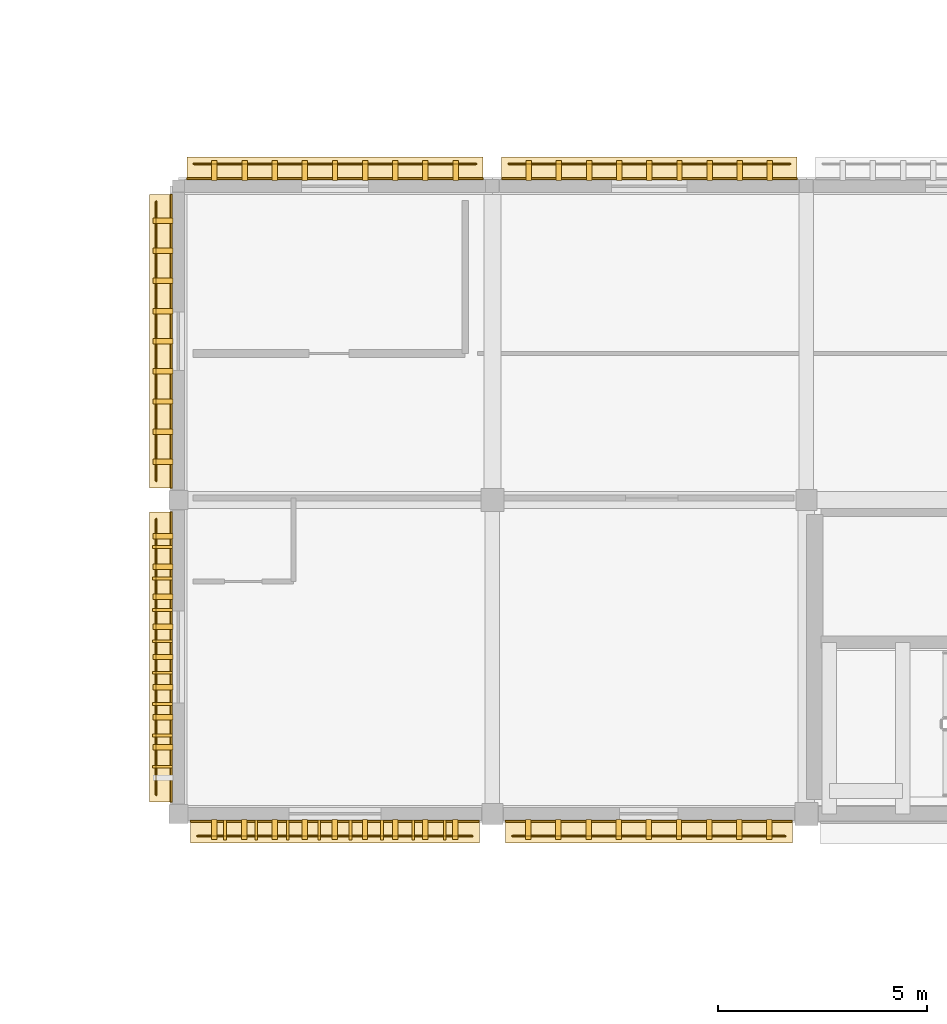
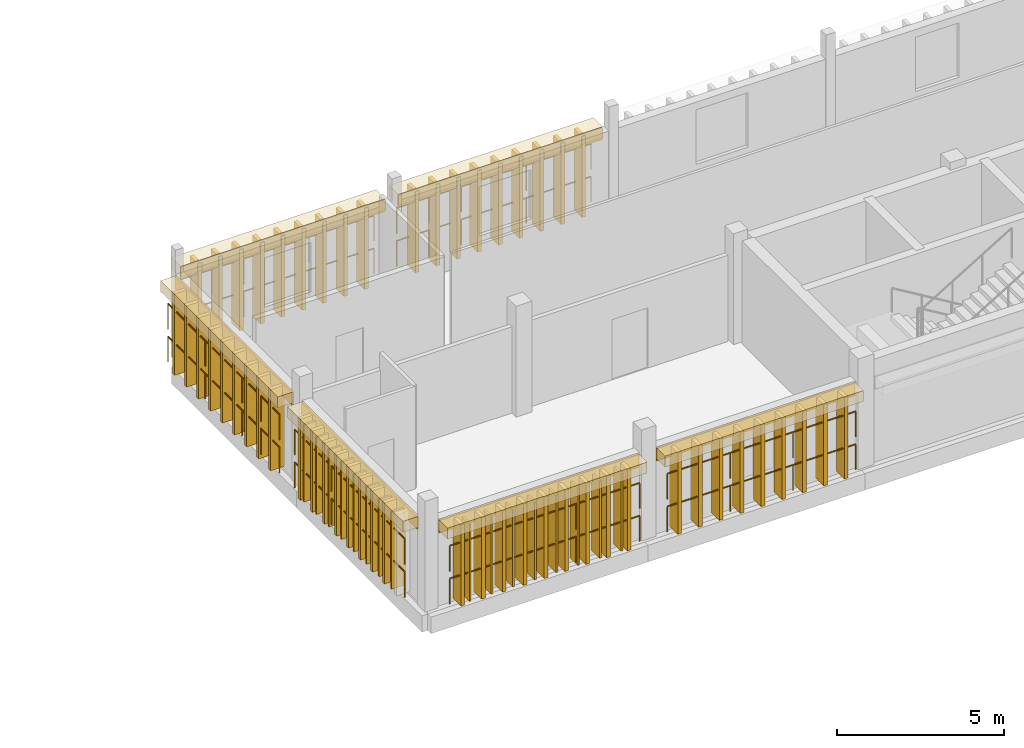
# One storey, part 37 of 48: 65 coverings, 16 shading devices, 12 railings.
"""IFC4 building model written with IfcOpenShell, lengths in metres."""

from ifc_helpers import new_model, si_unit, direction, frame, origin, origin_2d, place, context, subcontext, project, spatial, rectangle, circle, extrude, material, layer, layer_set, type_object, element, save


model = new_model("IFC4")

# Units and contexts
model_context = context("Model", 3, precision=1e-05, world=origin(), true_north=direction((0.0, 1.0)))
body_context = subcontext(model_context, "Body", "Model", "MODEL_VIEW")
ifc_project = project(units=[si_unit("LENGTHUNIT", "METRE"), si_unit("AREAUNIT", "SQUARE_METRE"), si_unit("VOLUMEUNIT", "CUBIC_METRE"), si_unit("PLANEANGLEUNIT", "RADIAN"), si_unit("MASSUNIT", "GRAM", prefix="KILO")], contexts=[model_context])

# Site, building, storey
site_placement = place(None, origin())
site = spatial("IfcSite", under=ifc_project, at=site_placement, CompositionType="ELEMENT")
building_placement = place(site_placement, origin())
building = spatial("IfcBuilding", under=site, at=building_placement, Name="Dalvernix Boulevard General Hospital", CompositionType="ELEMENT")
storey_placement = place(building_placement, frame((0.0, 0.0, 17.85009765625)))
storey = spatial("IfcBuildingStorey", under=building, at=storey_placement, Name="L04", CompositionType="ELEMENT", Elevation=17.85009765625)

# Coverings
ifc_material_1 = material(Name="Polychrome Catalan glazed ceramic spandrel tile panel")
ifc_layer_1 = layer(ifc_material_1, 0.044921875)
ifc_layer_set_1 = layer_set([ifc_layer_1], Name="Polychrome Catalan glazed ceramic spandrel tile panel (COV-CLD-01)")
covering_type_1 = type_object("IfcCoveringType", Name="COV-CLD-01", PredefinedType="CLADDING", material=ifc_layer_set_1)
covering_1_placement = place(storey_placement, frame((116.237548828125, 7.330078125, 2.69482421875), z_axis=(0.0, 0.0, 1.0), x_axis=(-1.0, 0.0, 0.0)))
element("IfcCovering", 1, at=covering_1_placement, inside=storey, type_object=covering_type_1, Name="L04 polychrome ceramic spandrel S 15-1", PredefinedType="CLADDING", context=body_context, shape_type="SweptSolid", body=[
    extrude(rectangle(XDim=6.905029296875, YDim=0.044921875, at=origin_2d()), origin(), (0.0, 0.0, 1.0), 0.449951171875),
])
covering_2_placement = place(storey_placement, frame((112.330078125, 11.25, 2.69482421875), z_axis=(0.0, 0.0, 1.0), x_axis=(0.0, 1.0, 0.0)))
element("IfcCovering", 2, at=covering_2_placement, inside=storey, type_object=covering_type_1, Name="L04 polychrome ceramic spandrel W 15-1", PredefinedType="CLADDING", context=body_context, shape_type="SweptSolid", body=[
    extrude(rectangle(XDim=6.929931640625, YDim=0.044921875, at=origin_2d()), origin(), (0.0, 0.0, 1.0), 0.449951171875),
])
covering_3_placement = place(storey_placement, frame((116.239990234375, 22.669921875, 2.69482421875), z_axis=(0.0, 0.0, 1.0), x_axis=(1.0, 0.0, 0.0)))
element("IfcCovering", 3, at=covering_3_placement, inside=storey, type_object=covering_type_1, Name="L04 polychrome ceramic spandrel N 15-3", PredefinedType="CLADDING", context=body_context, shape_type="SweptSolid", body=[
    extrude(rectangle(XDim=7.080078125, YDim=0.044921875, at=origin_2d()), origin(), (0.0, 0.0, 1.0), 0.449951171875),
])
covering_4_placement = place(storey_placement, frame((112.330078125, 18.79248046875, 2.69482421875), z_axis=(0.0, 0.0, 1.0), x_axis=(0.0, 1.0, 0.0)))
element("IfcCovering", 4, at=covering_4_placement, inside=storey, type_object=covering_type_1, Name="L04 polychrome ceramic spandrel W 15-2", PredefinedType="CLADDING", context=body_context, shape_type="SweptSolid", body=[
    extrude(rectangle(XDim=7.014892578125, YDim=0.044921875, at=origin_2d()), origin(), (0.0, 0.0, 1.0), 0.449951171875),
])
covering_5_placement = place(storey_placement, frame((123.737548828125, 7.330078125, 2.69482421875), z_axis=(0.0, 0.0, 1.0), x_axis=(-1.0, 0.0, 0.0)))
element("IfcCovering", 5, at=covering_5_placement, inside=storey, type_object=covering_type_1, Name="L04 polychrome ceramic spandrel S 16-1", PredefinedType="CLADDING", context=body_context, shape_type="SweptSolid", body=[
    extrude(rectangle(XDim=6.85498046875, YDim=0.044921875, at=origin_2d()), origin(), (0.0, 0.0, 1.0), 0.449951171875),
])
covering_6_placement = place(storey_placement, frame((123.75, 22.669921875, 2.69482421875), z_axis=(0.0, 0.0, 1.0), x_axis=(1.0, 0.0, 0.0)))
element("IfcCovering", 6, at=covering_6_placement, inside=storey, type_object=covering_type_1, Name="L04 polychrome ceramic spandrel N 16-3", PredefinedType="CLADDING", context=body_context, shape_type="SweptSolid", body=[
    extrude(rectangle(XDim=7.06005859375, YDim=0.044921875, at=origin_2d()), origin(), (0.0, 0.0, 1.0), 0.449951171875),
])
ifc_material_2 = material(Name="Dressed ochre limestone classical plinth, stringcourse and corbelled cornice", Category="masonry")
ifc_layer_2 = layer(ifc_material_2, 0.449951171875)
ifc_layer_set_2 = layer_set([ifc_layer_2], Name="Dressed ochre limestone classical plinth, stringcourse and corbelled cornice (COV-CRN-01)")
covering_type_2 = type_object("IfcCoveringType", Name="COV-CRN-01", PredefinedType="CLADDING", material=ifc_layer_set_2)
covering_7_placement = place(storey_placement, frame((116.237548828125, 7.090087890625, 2.77001953125), z_axis=(0.0, 0.0, 1.0), x_axis=(-1.0, 0.0, 0.0)))
element("IfcCovering", 7, at=covering_7_placement, inside=storey, type_object=covering_type_2, Name="L04 classical corbelled cornice frieze S 15-1", PredefinedType="CLADDING", context=body_context, shape_type="SweptSolid", body=[
    extrude(rectangle(XDim=6.905029296875, YDim=0.56005859375, at=origin_2d()), origin(), (0.0, 0.0, 1.0), 0.39990234375),
])
covering_8_placement = place(storey_placement, frame((112.090087890625, 11.25, 2.77001953125), z_axis=(0.0, 0.0, 1.0), x_axis=(0.0, 1.0, 0.0)))
element("IfcCovering", 8, at=covering_8_placement, inside=storey, type_object=covering_type_2, Name="L04 classical corbelled cornice frieze W 15-1", PredefinedType="CLADDING", context=body_context, shape_type="SweptSolid", body=[
    extrude(rectangle(XDim=6.929931640625, YDim=0.56005859375, at=origin_2d()), origin(), (0.0, 0.0, 1.0), 0.39990234375),
])
covering_9_placement = place(storey_placement, frame((116.239990234375, 22.909912109375, 2.77001953125), z_axis=(0.0, 0.0, 1.0), x_axis=(1.0, 0.0, 0.0)))
element("IfcCovering", 9, at=covering_9_placement, inside=storey, type_object=covering_type_2, Name="L04 classical corbelled cornice frieze N 15-3", PredefinedType="CLADDING", context=body_context, shape_type="SweptSolid", body=[
    extrude(rectangle(XDim=7.080078125, YDim=0.56005859375, at=origin_2d()), origin(), (0.0, 0.0, 1.0), 0.39990234375),
])
covering_10_placement = place(storey_placement, frame((112.090087890625, 18.79248046875, 2.77001953125), z_axis=(0.0, 0.0, 1.0), x_axis=(0.0, 1.0, 0.0)))
element("IfcCovering", 10, at=covering_10_placement, inside=storey, type_object=covering_type_2, Name="L04 classical corbelled cornice frieze W 15-2", PredefinedType="CLADDING", context=body_context, shape_type="SweptSolid", body=[
    extrude(rectangle(XDim=7.014892578125, YDim=0.56005859375, at=origin_2d()), origin(), (0.0, 0.0, 1.0), 0.39990234375),
])
covering_11_placement = place(storey_placement, frame((123.737548828125, 7.090087890625, 2.77001953125), z_axis=(0.0, 0.0, 1.0), x_axis=(-1.0, 0.0, 0.0)))
element("IfcCovering", 11, at=covering_11_placement, inside=storey, type_object=covering_type_2, Name="L04 classical corbelled cornice frieze S 16-1", PredefinedType="CLADDING", context=body_context, shape_type="SweptSolid", body=[
    extrude(rectangle(XDim=6.85498046875, YDim=0.56005859375, at=origin_2d()), origin(), (0.0, 0.0, 1.0), 0.39990234375),
])
covering_12_placement = place(storey_placement, frame((123.75, 22.909912109375, 2.77001953125), z_axis=(0.0, 0.0, 1.0), x_axis=(1.0, 0.0, 0.0)))
element("IfcCovering", 12, at=covering_12_placement, inside=storey, type_object=covering_type_2, Name="L04 classical corbelled cornice frieze N 16-3", PredefinedType="CLADDING", context=body_context, shape_type="SweptSolid", body=[
    extrude(rectangle(XDim=7.06005859375, YDim=0.56005859375, at=origin_2d()), origin(), (0.0, 0.0, 1.0), 0.39990234375),
])
ifc_material_3 = material(Name="Preservative-treated West African iroko timber lattice screen", Category="wood")
ifc_layer_3 = layer(ifc_material_3, 0.1201171875)
ifc_layer_set_3 = layer_set([ifc_layer_3], Name="Preservative-treated West African iroko timber lattice screen (COV-TSCR-01)")
covering_type_3 = type_object("IfcCoveringType", Name="COV-TSCR-01", PredefinedType="CLADDING", material=ifc_layer_set_3)
for number, where, z_axis, x_axis, name in (
    (13, (119.117431640625, 7.1298828125, 0.10009765625), (0.0, 0.0, 1.0), (-1.0, 0.0, 0.0), "L04 upper-ward timber screen blade S 15-1-1"),
    (14, (118.3974609375, 7.1298828125, 0.10009765625), (0.0, 0.0, 1.0), (-1.0, 0.0, 0.0), "L04 upper-ward timber screen blade S 15-1-2"),
    (15, (117.677490234375, 7.1298828125, 0.10009765625), (0.0, 0.0, 1.0), (-1.0, 0.0, 0.0), "L04 upper-ward timber screen blade S 15-1-3"),
    (16, (116.95751953125, 7.1298828125, 0.10009765625), (0.0, 0.0, 1.0), (-1.0, 0.0, 0.0), "L04 upper-ward timber screen blade S 15-1-4"),
    (17, (116.237548828125, 7.1298828125, 0.10009765625), (0.0, 0.0, 1.0), (-1.0, 0.0, 0.0), "L04 upper-ward timber screen blade S 15-1-5"),
    (18, (115.517578125, 7.1298828125, 0.10009765625), (0.0, 0.0, 1.0), (-1.0, 0.0, 0.0), "L04 upper-ward timber screen blade S 15-1-6"),
    (19, (114.797607421875, 7.1298828125, 0.10009765625), (0.0, 0.0, 1.0), (-1.0, 0.0, 0.0), "L04 upper-ward timber screen blade S 15-1-7"),
    (20, (114.077392578125, 7.1298828125, 0.10009765625), (0.0, 0.0, 1.0), (-1.0, 0.0, 0.0), "L04 upper-ward timber screen blade S 15-1-8"),
    (21, (113.357421875, 7.1298828125, 0.10009765625), (0.0, 0.0, 1.0), (-1.0, 0.0, 0.0), "L04 upper-ward timber screen blade S 15-1-9"),
    (22, (112.1298828125, 9.090087890625, 0.10009765625), (0.0, 0.0, 1.0), (0.0, 1.0, 0.0), "L04 upper-ward timber screen blade W 15-1-2"),
    (23, (112.1298828125, 9.81005859375, 0.10009765625), (0.0, 0.0, 1.0), (0.0, 1.0, 0.0), "L04 upper-ward timber screen blade W 15-1-3"),
    (24, (112.1298828125, 10.530029296875, 0.10009765625), (0.0, 0.0, 1.0), (0.0, 1.0, 0.0), "L04 upper-ward timber screen blade W 15-1-4"),
    (25, (112.1298828125, 11.25, 0.10009765625), (0.0, 0.0, 1.0), (0.0, 1.0, 0.0), "L04 upper-ward timber screen blade W 15-1-5"),
    (26, (112.1298828125, 11.969970703125, 0.10009765625), (0.0, 0.0, 1.0), (0.0, 1.0, 0.0), "L04 upper-ward timber screen blade W 15-1-6"),
    (27, (112.1298828125, 12.68994140625, 0.10009765625), (0.0, 0.0, 1.0), (0.0, 1.0, 0.0), "L04 upper-ward timber screen blade W 15-1-7"),
    (28, (112.1298828125, 13.409912109375, 0.10009765625), (0.0, 0.0, 1.0), (0.0, 1.0, 0.0), "L04 upper-ward timber screen blade W 15-1-8"),
    (29, (112.1298828125, 14.1298828125, 0.10009765625), (0.0, 0.0, 1.0), (0.0, 1.0, 0.0), "L04 upper-ward timber screen blade W 15-1-9"),
    (30, (113.360107421875, 22.8701171875, 0.10009765625), (0.0, 0.0, 1.0), (1.0, 0.0, 0.0), "L04 upper-ward timber screen blade N 15-3-1"),
    (31, (114.080078125, 22.8701171875, 0.10009765625), (0.0, 0.0, 1.0), (1.0, 0.0, 0.0), "L04 upper-ward timber screen blade N 15-3-2"),
    (32, (114.800048828125, 22.8701171875, 0.10009765625), (0.0, 0.0, 1.0), (1.0, 0.0, 0.0), "L04 upper-ward timber screen blade N 15-3-3"),
    (33, (115.52001953125, 22.8701171875, 0.10009765625), (0.0, 0.0, 1.0), (1.0, 0.0, 0.0), "L04 upper-ward timber screen blade N 15-3-4"),
    (34, (116.239990234375, 22.8701171875, 0.10009765625), (0.0, 0.0, 1.0), (1.0, 0.0, 0.0), "L04 upper-ward timber screen blade N 15-3-5"),
    (35, (116.9599609375, 22.8701171875, 0.10009765625), (0.0, 0.0, 1.0), (1.0, 0.0, 0.0), "L04 upper-ward timber screen blade N 15-3-6"),
    (36, (117.679931640625, 22.8701171875, 0.10009765625), (0.0, 0.0, 1.0), (1.0, 0.0, 0.0), "L04 upper-ward timber screen blade N 15-3-7"),
    (37, (118.39990234375, 22.8701171875, 0.10009765625), (0.0, 0.0, 1.0), (1.0, 0.0, 0.0), "L04 upper-ward timber screen blade N 15-3-8"),
    (38, (119.1201171875, 22.8701171875, 0.10009765625), (0.0, 0.0, 1.0), (1.0, 0.0, 0.0), "L04 upper-ward timber screen blade N 15-3-9"),
    (39, (112.1298828125, 15.91259765625, 0.10009765625), (0.0, 0.0, 1.0), (0.0, 1.0, 0.0), "L04 upper-ward timber screen blade W 15-2-1"),
    (40, (112.1298828125, 16.632568359375, 0.10009765625), (0.0, 0.0, 1.0), (0.0, 1.0, 0.0), "L04 upper-ward timber screen blade W 15-2-2"),
    (41, (112.1298828125, 17.3525390625, 0.10009765625), (0.0, 0.0, 1.0), (0.0, 1.0, 0.0), "L04 upper-ward timber screen blade W 15-2-3"),
    (42, (112.1298828125, 18.072509765625, 0.10009765625), (0.0, 0.0, 1.0), (0.0, 1.0, 0.0), "L04 upper-ward timber screen blade W 15-2-4"),
    (43, (112.1298828125, 18.79248046875, 0.10009765625), (0.0, 0.0, 1.0), (0.0, 1.0, 0.0), "L04 upper-ward timber screen blade W 15-2-5"),
    (44, (112.1298828125, 19.512451171875, 0.10009765625), (0.0, 0.0, 1.0), (0.0, 1.0, 0.0), "L04 upper-ward timber screen blade W 15-2-6"),
    (45, (112.1298828125, 20.232421875, 0.10009765625), (0.0, 0.0, 1.0), (0.0, 1.0, 0.0), "L04 upper-ward timber screen blade W 15-2-7"),
    (46, (112.1298828125, 20.952392578125, 0.10009765625), (0.0, 0.0, 1.0), (0.0, 1.0, 0.0), "L04 upper-ward timber screen blade W 15-2-8"),
    (47, (112.1298828125, 21.672607421875, 0.10009765625), (0.0, 0.0, 1.0), (0.0, 1.0, 0.0), "L04 upper-ward timber screen blade W 15-2-9"),
    (48, (126.617431640625, 7.1298828125, 0.10009765625), (0.0, 0.0, 1.0), (-1.0, 0.0, 0.0), "L04 upper-ward timber screen blade S 16-1-1"),
    (49, (125.8974609375, 7.1298828125, 0.10009765625), (0.0, 0.0, 1.0), (-1.0, 0.0, 0.0), "L04 upper-ward timber screen blade S 16-1-2"),
    (50, (125.177490234375, 7.1298828125, 0.10009765625), (0.0, 0.0, 1.0), (-1.0, 0.0, 0.0), "L04 upper-ward timber screen blade S 16-1-3"),
    (51, (124.45751953125, 7.1298828125, 0.10009765625), (0.0, 0.0, 1.0), (-1.0, 0.0, 0.0), "L04 upper-ward timber screen blade S 16-1-4"),
    (52, (123.737548828125, 7.1298828125, 0.10009765625), (0.0, 0.0, 1.0), (-1.0, 0.0, 0.0), "L04 upper-ward timber screen blade S 16-1-5"),
    (53, (123.017578125, 7.1298828125, 0.10009765625), (0.0, 0.0, 1.0), (-1.0, 0.0, 0.0), "L04 upper-ward timber screen blade S 16-1-6"),
    (54, (122.297607421875, 7.1298828125, 0.10009765625), (0.0, 0.0, 1.0), (-1.0, 0.0, 0.0), "L04 upper-ward timber screen blade S 16-1-7"),
    (55, (121.577392578125, 7.1298828125, 0.10009765625), (0.0, 0.0, 1.0), (-1.0, 0.0, 0.0), "L04 upper-ward timber screen blade S 16-1-8"),
    (56, (120.857421875, 7.1298828125, 0.10009765625), (0.0, 0.0, 1.0), (-1.0, 0.0, 0.0), "L04 upper-ward timber screen blade S 16-1-9"),
    (57, (120.8701171875, 22.8701171875, 0.10009765625), (0.0, 0.0, 1.0), (1.0, 0.0, 0.0), "L04 upper-ward timber screen blade N 16-3-1"),
    (58, (121.590087890625, 22.8701171875, 0.10009765625), (0.0, 0.0, 1.0), (1.0, 0.0, 0.0), "L04 upper-ward timber screen blade N 16-3-2"),
    (59, (122.31005859375, 22.8701171875, 0.10009765625), (0.0, 0.0, 1.0), (1.0, 0.0, 0.0), "L04 upper-ward timber screen blade N 16-3-3"),
    (60, (123.030029296875, 22.8701171875, 0.10009765625), (0.0, 0.0, 1.0), (1.0, 0.0, 0.0), "L04 upper-ward timber screen blade N 16-3-4"),
    (61, (123.75, 22.8701171875, 0.10009765625), (0.0, 0.0, 1.0), (1.0, 0.0, 0.0), "L04 upper-ward timber screen blade N 16-3-5"),
    (62, (124.469970703125, 22.8701171875, 0.10009765625), (0.0, 0.0, 1.0), (1.0, 0.0, 0.0), "L04 upper-ward timber screen blade N 16-3-6"),
    (63, (125.18994140625, 22.8701171875, 0.10009765625), (0.0, 0.0, 1.0), (1.0, 0.0, 0.0), "L04 upper-ward timber screen blade N 16-3-7"),
    (64, (125.909912109375, 22.8701171875, 0.10009765625), (0.0, 0.0, 1.0), (1.0, 0.0, 0.0), "L04 upper-ward timber screen blade N 16-3-8"),
    (65, (126.6298828125, 22.8701171875, 0.10009765625), (0.0, 0.0, 1.0), (1.0, 0.0, 0.0), "L04 upper-ward timber screen blade N 16-3-9"),
):
    element("IfcCovering", number, at=place(storey_placement, frame(where, z_axis=z_axis, x_axis=x_axis)), inside=storey, type_object=covering_type_3, Name=name, PredefinedType="CLADDING", context=body_context, shape_type="SweptSolid", body=[
        extrude(rectangle(XDim=0.1298828125, YDim=0.47998046875, at=origin_2d()), origin(), (0.0, 0.0, 1.0), 2.969970703125),
    ])

# Railings
ifc_material_4 = material(Name="Preservative-treated iroko timber horizontal screen louver rail", Category="wood")
railing_type = type_object("IfcRailingType", Name="RL-TSCR-01", PredefinedType="BALUSTRADE", material=ifc_material_4)
for number, where, name in (
    (66, (119.52001953125, 6.969970703125, 0.25), "L04 upper-ward horizontal timber screen louver S 15-1-1"),
    (67, (119.52001953125, 6.969970703125, 1.449951171875), "L04 upper-ward horizontal timber screen louver S 15-1-2"),
):
    element("IfcRailing", number, at=place(storey_placement, frame(where)), inside=storey, type_object=railing_type, Name=name, PredefinedType="BALUSTRADE", context=body_context, shape_type="SweptSolid", body=[
        extrude(circle(Radius=0.02392578125, at=origin_2d()), frame((0.0, 0.0, 0.92578125), z_axis=(-1.0, 0.0, 0.0), x_axis=(0.0, -1.0, 0.0)), (0.0, 0.0, 1.0), 6.56494140625),
        extrude(circle(Radius=0.02099609375, at=origin_2d()), origin(), (0.0, 0.0, 1.0), 0.90185546875),
        extrude(circle(Radius=0.02099609375, at=origin_2d()), frame((-1.09423828125, 0.0, 0.0)), (0.0, 0.0, 1.0), 0.90185546875),
        extrude(circle(Radius=0.02099609375, at=origin_2d()), frame((-2.188232421875, 0.0, 0.0)), (0.0, 0.0, 1.0), 0.90185546875),
        extrude(circle(Radius=0.02099609375, at=origin_2d()), frame((-3.282470703125, 0.0, 0.0)), (0.0, 0.0, 1.0), 0.90185546875),
        extrude(circle(Radius=0.02099609375, at=origin_2d()), frame((-4.376708984375, 0.0, 0.0)), (0.0, 0.0, 1.0), 0.90185546875),
        extrude(circle(Radius=0.02099609375, at=origin_2d()), frame((-5.470703125, 0.0, 0.0)), (0.0, 0.0, 1.0), 0.90185546875),
        extrude(circle(Radius=0.02099609375, at=origin_2d()), frame((-6.56494140625, 0.0, 0.0)), (0.0, 0.0, 1.0), 0.90185546875),
    ])
for number, where, name in (
    (68, (111.969970703125, 7.955078125, 0.25), "L04 upper-ward horizontal timber screen louver W 15-1-1"),
    (69, (111.969970703125, 7.955078125, 1.449951171875), "L04 upper-ward horizontal timber screen louver W 15-1-2"),
):
    element("IfcRailing", number, at=place(storey_placement, frame(where)), inside=storey, type_object=railing_type, Name=name, PredefinedType="BALUSTRADE", context=body_context, shape_type="SweptSolid", body=[
        extrude(circle(Radius=0.02392578125, at=origin_2d()), frame((0.0, 0.0, 0.92578125), z_axis=(0.0, 1.0, 0.0), x_axis=(-1.0, 0.0, 0.0)), (0.0, 0.0, 1.0), 6.58984375),
        extrude(circle(Radius=0.02099609375, at=origin_2d()), origin(), (0.0, 0.0, 1.0), 0.90185546875),
        extrude(circle(Radius=0.02099609375, at=origin_2d()), frame((0.0, 1.098388671875, 0.0)), (0.0, 0.0, 1.0), 0.90185546875),
        extrude(circle(Radius=0.02099609375, at=origin_2d()), frame((0.0, 2.196533203125, 0.0)), (0.0, 0.0, 1.0), 0.90185546875),
        extrude(circle(Radius=0.02099609375, at=origin_2d()), frame((0.0, 3.294921875, 0.0)), (0.0, 0.0, 1.0), 0.90185546875),
        extrude(circle(Radius=0.02099609375, at=origin_2d()), frame((0.0, 4.393310546875, 0.0)), (0.0, 0.0, 1.0), 0.90185546875),
        extrude(circle(Radius=0.02099609375, at=origin_2d()), frame((0.0, 5.491455078125, 0.0)), (0.0, 0.0, 1.0), 0.90185546875),
        extrude(circle(Radius=0.02099609375, at=origin_2d()), frame((0.0, 6.58984375, 0.0)), (0.0, 0.0, 1.0), 0.90185546875),
    ])
for number, where, name in (
    (70, (112.8701171875, 23.030029296875, 0.25), "L04 upper-ward horizontal timber screen louver N 15-3-1"),
    (71, (112.8701171875, 23.030029296875, 1.449951171875), "L04 upper-ward horizontal timber screen louver N 15-3-2"),
):
    element("IfcRailing", number, at=place(storey_placement, frame(where)), inside=storey, type_object=railing_type, Name=name, PredefinedType="BALUSTRADE", context=body_context, shape_type="SweptSolid", body=[
        extrude(circle(Radius=0.02392578125, at=origin_2d()), frame((0.0, 0.0, 0.92578125), z_axis=(1.0, 0.0, 0.0), x_axis=(0.0, 1.0, 0.0)), (0.0, 0.0, 1.0), 6.739990234375),
        extrude(circle(Radius=0.02099609375, at=origin_2d()), origin(), (0.0, 0.0, 1.0), 0.90185546875),
        extrude(circle(Radius=0.02099609375, at=origin_2d()), frame((1.123291015625, 0.0, 0.0)), (0.0, 0.0, 1.0), 0.90185546875),
        extrude(circle(Radius=0.02099609375, at=origin_2d()), frame((2.24658203125, 0.0, 0.0)), (0.0, 0.0, 1.0), 0.90185546875),
        extrude(circle(Radius=0.02099609375, at=origin_2d()), frame((3.3701171875, 0.0, 0.0)), (0.0, 0.0, 1.0), 0.90185546875),
        extrude(circle(Radius=0.02099609375, at=origin_2d()), frame((4.493408203125, 0.0, 0.0)), (0.0, 0.0, 1.0), 0.90185546875),
        extrude(circle(Radius=0.02099609375, at=origin_2d()), frame((5.61669921875, 0.0, 0.0)), (0.0, 0.0, 1.0), 0.90185546875),
        extrude(circle(Radius=0.02099609375, at=origin_2d()), frame((6.739990234375, 0.0, 0.0)), (0.0, 0.0, 1.0), 0.90185546875),
    ])
for number, where, name in (
    (72, (111.969970703125, 15.455078125, 0.25), "L04 upper-ward horizontal timber screen louver W 15-2-1"),
    (73, (111.969970703125, 15.455078125, 1.449951171875), "L04 upper-ward horizontal timber screen louver W 15-2-2"),
):
    element("IfcRailing", number, at=place(storey_placement, frame(where)), inside=storey, type_object=railing_type, Name=name, PredefinedType="BALUSTRADE", context=body_context, shape_type="SweptSolid", body=[
        extrude(circle(Radius=0.02392578125, at=origin_2d()), frame((0.0, 0.0, 0.92578125), z_axis=(0.0, 1.0, 0.0), x_axis=(-1.0, 0.0, 0.0)), (0.0, 0.0, 1.0), 6.6748046875),
        extrude(circle(Radius=0.02099609375, at=origin_2d()), origin(), (0.0, 0.0, 1.0), 0.90185546875),
        extrude(circle(Radius=0.02099609375, at=origin_2d()), frame((0.0, 1.112548828125, 0.0)), (0.0, 0.0, 1.0), 0.90185546875),
        extrude(circle(Radius=0.02099609375, at=origin_2d()), frame((0.0, 2.224853515625, 0.0)), (0.0, 0.0, 1.0), 0.90185546875),
        extrude(circle(Radius=0.02099609375, at=origin_2d()), frame((0.0, 3.33740234375, 0.0)), (0.0, 0.0, 1.0), 0.90185546875),
        extrude(circle(Radius=0.02099609375, at=origin_2d()), frame((0.0, 4.449951171875, 0.0)), (0.0, 0.0, 1.0), 0.90185546875),
        extrude(circle(Radius=0.02099609375, at=origin_2d()), frame((0.0, 5.562255859375, 0.0)), (0.0, 0.0, 1.0), 0.90185546875),
        extrude(circle(Radius=0.02099609375, at=origin_2d()), frame((0.0, 6.6748046875, 0.0)), (0.0, 0.0, 1.0), 0.90185546875),
    ])
for number, where, name in (
    (74, (126.9951171875, 6.969970703125, 0.25), "L04 upper-ward horizontal timber screen louver S 16-1-1"),
    (75, (126.9951171875, 6.969970703125, 1.449951171875), "L04 upper-ward horizontal timber screen louver S 16-1-2"),
):
    element("IfcRailing", number, at=place(storey_placement, frame(where)), inside=storey, type_object=railing_type, Name=name, PredefinedType="BALUSTRADE", context=body_context, shape_type="SweptSolid", body=[
        extrude(circle(Radius=0.02392578125, at=origin_2d()), frame((0.0, 0.0, 0.92578125), z_axis=(-1.0, 0.0, 0.0), x_axis=(0.0, -1.0, 0.0)), (0.0, 0.0, 1.0), 6.51513671875),
        extrude(circle(Radius=0.02099609375, at=origin_2d()), origin(), (0.0, 0.0, 1.0), 0.90185546875),
        extrude(circle(Radius=0.02099609375, at=origin_2d()), frame((-1.0859375, 0.0, 0.0)), (0.0, 0.0, 1.0), 0.90185546875),
        extrude(circle(Radius=0.02099609375, at=origin_2d()), frame((-2.171630859375, 0.0, 0.0)), (0.0, 0.0, 1.0), 0.90185546875),
        extrude(circle(Radius=0.02099609375, at=origin_2d()), frame((-3.257568359375, 0.0, 0.0)), (0.0, 0.0, 1.0), 0.90185546875),
        extrude(circle(Radius=0.02099609375, at=origin_2d()), frame((-4.343505859375, 0.0, 0.0)), (0.0, 0.0, 1.0), 0.90185546875),
        extrude(circle(Radius=0.02099609375, at=origin_2d()), frame((-5.42919921875, 0.0, 0.0)), (0.0, 0.0, 1.0), 0.90185546875),
        extrude(circle(Radius=0.02099609375, at=origin_2d()), frame((-6.51513671875, 0.0, 0.0)), (0.0, 0.0, 1.0), 0.90185546875),
    ])
for number, where, name in (
    (76, (120.389892578125, 23.030029296875, 0.25), "L04 upper-ward horizontal timber screen louver N 16-3-1"),
    (77, (120.389892578125, 23.030029296875, 1.449951171875), "L04 upper-ward horizontal timber screen louver N 16-3-2"),
):
    element("IfcRailing", number, at=place(storey_placement, frame(where)), inside=storey, type_object=railing_type, Name=name, PredefinedType="BALUSTRADE", context=body_context, shape_type="SweptSolid", body=[
        extrude(circle(Radius=0.02392578125, at=origin_2d()), frame((0.0, 0.0, 0.92578125), z_axis=(1.0, 0.0, 0.0), x_axis=(0.0, 1.0, 0.0)), (0.0, 0.0, 1.0), 6.72021484375),
        extrude(circle(Radius=0.02099609375, at=origin_2d()), origin(), (0.0, 0.0, 1.0), 0.90185546875),
        extrude(circle(Radius=0.02099609375, at=origin_2d()), frame((1.1201171875, 0.0, 0.0)), (0.0, 0.0, 1.0), 0.90185546875),
        extrude(circle(Radius=0.02099609375, at=origin_2d()), frame((2.239990234375, 0.0, 0.0)), (0.0, 0.0, 1.0), 0.90185546875),
        extrude(circle(Radius=0.02099609375, at=origin_2d()), frame((3.360107421875, 0.0, 0.0)), (0.0, 0.0, 1.0), 0.90185546875),
        extrude(circle(Radius=0.02099609375, at=origin_2d()), frame((4.480224609375, 0.0, 0.0)), (0.0, 0.0, 1.0), 0.90185546875),
        extrude(circle(Radius=0.02099609375, at=origin_2d()), frame((5.60009765625, 0.0, 0.0)), (0.0, 0.0, 1.0), 0.90185546875),
        extrude(circle(Radius=0.02099609375, at=origin_2d()), frame((6.72021484375, 0.0, 0.0)), (0.0, 0.0, 1.0), 0.90185546875),
    ])

# Shading devices
ifc_material_5 = material(Name="Preservative-treated West African iroko timber", Category="wood")
shading_device_type = type_object("IfcShadingDeviceType", Name="SHD-FIN-01", PredefinedType="USERDEFINED", material=ifc_material_5)
for number, where, z_axis, x_axis, name in (
    (78, (118.862548828125, 7.1201171875, 0.1748046875), (0.0, 0.0, 1.0), (-1.0, 0.0, 0.0), "L04 iroko brise-soleil fin 1"),
    (79, (118.112548828125, 7.1201171875, 0.1748046875), (0.0, 0.0, 1.0), (-1.0, 0.0, 0.0), "L04 iroko brise-soleil fin 2"),
    (80, (117.362548828125, 7.1201171875, 0.1748046875), (0.0, 0.0, 1.0), (-1.0, 0.0, 0.0), "L04 iroko brise-soleil fin 3"),
    (81, (116.612548828125, 7.1201171875, 0.1748046875), (0.0, 0.0, 1.0), (-1.0, 0.0, 0.0), "L04 iroko brise-soleil fin 4"),
    (82, (115.862548828125, 7.1201171875, 0.1748046875), (0.0, 0.0, 1.0), (-1.0, 0.0, 0.0), "L04 iroko brise-soleil fin 5"),
    (83, (115.112548828125, 7.1201171875, 0.1748046875), (0.0, 0.0, 1.0), (-1.0, 0.0, 0.0), "L04 iroko brise-soleil fin 6"),
    (84, (114.362548828125, 7.1201171875, 0.1748046875), (0.0, 0.0, 1.0), (-1.0, 0.0, 0.0), "L04 iroko brise-soleil fin 7"),
    (85, (113.612548828125, 7.1201171875, 0.1748046875), (0.0, 0.0, 1.0), (-1.0, 0.0, 0.0), "L04 iroko brise-soleil fin 8"),
    (86, (112.1201171875, 8.625, 0.1748046875), (0.0, 0.0, 1.0), (0.0, 1.0, 0.0), "L04 iroko brise-soleil fin 1"),
    (87, (112.1201171875, 9.375, 0.1748046875), (0.0, 0.0, 1.0), (0.0, 1.0, 0.0), "L04 iroko brise-soleil fin 2"),
    (88, (112.1201171875, 10.125, 0.1748046875), (0.0, 0.0, 1.0), (0.0, 1.0, 0.0), "L04 iroko brise-soleil fin 3"),
    (89, (112.1201171875, 10.875, 0.1748046875), (0.0, 0.0, 1.0), (0.0, 1.0, 0.0), "L04 iroko brise-soleil fin 4"),
    (90, (112.1201171875, 11.625, 0.1748046875), (0.0, 0.0, 1.0), (0.0, 1.0, 0.0), "L04 iroko brise-soleil fin 5"),
    (91, (112.1201171875, 12.375, 0.1748046875), (0.0, 0.0, 1.0), (0.0, 1.0, 0.0), "L04 iroko brise-soleil fin 6"),
    (92, (112.1201171875, 13.125, 0.1748046875), (0.0, 0.0, 1.0), (0.0, 1.0, 0.0), "L04 iroko brise-soleil fin 7"),
    (93, (112.1201171875, 13.875, 0.1748046875), (0.0, 0.0, 1.0), (0.0, 1.0, 0.0), "L04 iroko brise-soleil fin 8"),
):
    element("IfcShadingDevice", number, at=place(storey_placement, frame(where, z_axis=z_axis, x_axis=x_axis)), inside=storey, type_object=shading_device_type, Name=name, ObjectType="FIN", PredefinedType="USERDEFINED", context=body_context, shape_type="SweptSolid", body=[
        extrude(rectangle(XDim=0.06494140625, YDim=0.47998046875, at=origin_2d()), origin(), (0.0, 0.0, 1.0), 2.820068359375),
    ])

save(model, "model.ifc")
